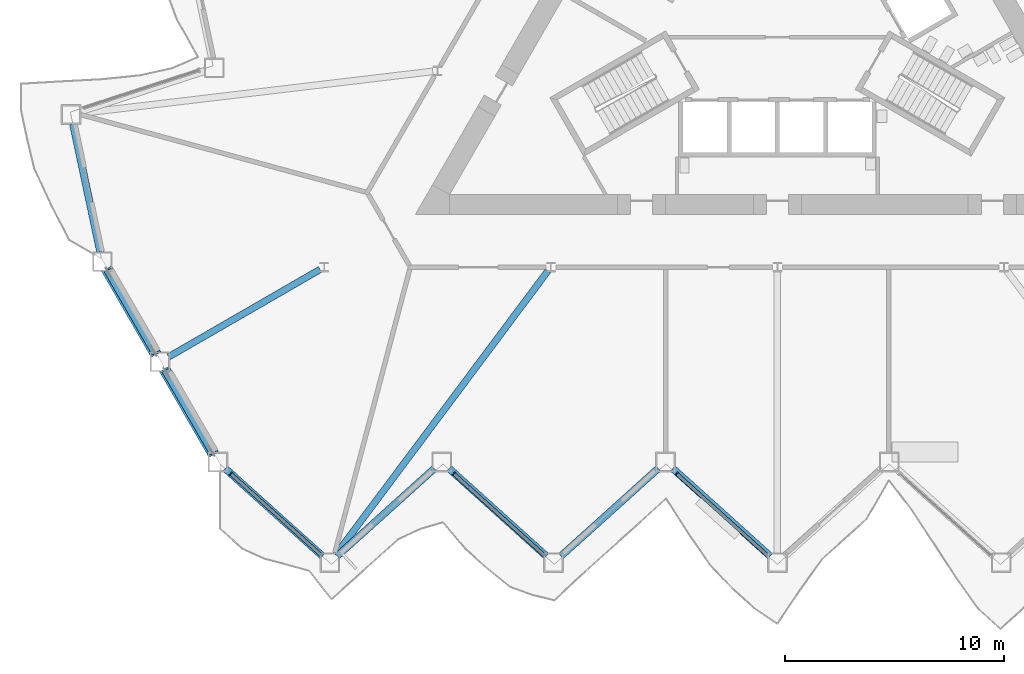
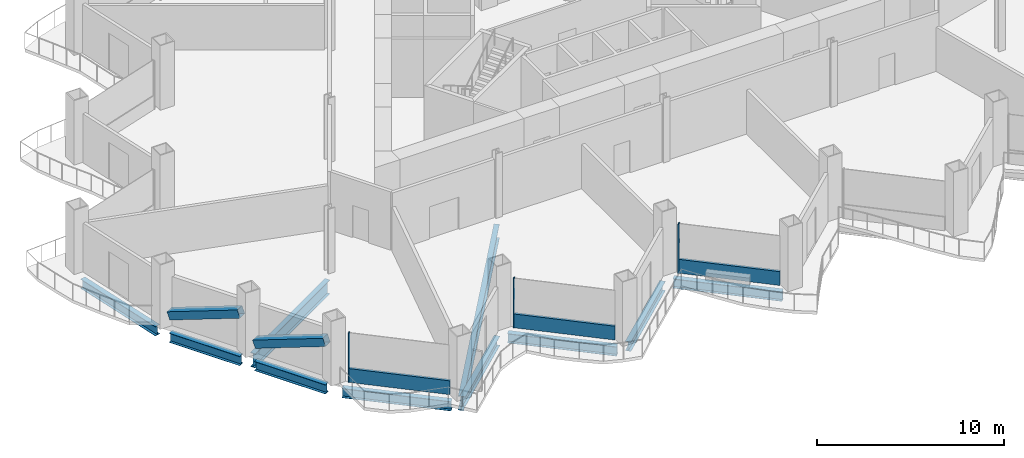
# One storey, part 3 of 21: 10 beams, 8 members, 3 elements without a shape of their own.
"""IFC4 building model written with IfcOpenShell, lengths in metres."""

from ifc_helpers import new_model, si_unit, direction, frame, origin, origin_2d, place, context, subcontext, project, spatial, rectangle, hollow_rectangle, i_section, extrude, material, layer, layer_set, material_profile, profile_set, type_object, element, aggregate, save


model = new_model("IFC4")

# Units and contexts
model_context = context("Model", 3, precision=1e-05, world=origin(), true_north=direction((0.0, 1.0)))
body_context = subcontext(model_context, "Body", "Model", "MODEL_VIEW")
ifc_project = project(units=[si_unit("LENGTHUNIT", "METRE"), si_unit("AREAUNIT", "SQUARE_METRE"), si_unit("VOLUMEUNIT", "CUBIC_METRE"), si_unit("PLANEANGLEUNIT", "RADIAN"), si_unit("MASSUNIT", "GRAM", prefix="KILO")], contexts=[model_context])

# Site, building, storey
site_placement = place(None, origin())
site = spatial("IfcSite", under=ifc_project, at=site_placement, CompositionType="ELEMENT")
building_placement = place(site_placement, origin())
building = spatial("IfcBuilding", under=site, at=building_placement, Name="Cormorant Prow Tower", CompositionType="ELEMENT")
storey_placement = place(building_placement, frame((0.0, 0.0, 145.800048828125)))
storey = spatial("IfcBuildingStorey", under=building, at=storey_placement, Name="L31", CompositionType="ELEMENT", Elevation=145.800048828125)

# Members
ifc_material_1 = material(Name="Structural steel ASTM A500 Gr C", Category="steel")
ifc_material_profile_1 = material_profile(ifc_material_1, hollow_rectangle(XDim=0.508056640625, YDim=0.508056640625, WallThickness=0.014892578125, at=origin_2d()), Name="HSS20x20x5/8")
ifc_profile_set_1 = profile_set([ifc_material_profile_1], Name="Structural steel ASTM A500 Gr C")
member_type_1 = type_object("IfcMemberType", Name="Chamfer brace HSS20x20x5/8", PredefinedType="BRACE", material=ifc_profile_set_1)
for number, where, z_axis, x_axis, name in (
    (1, (-30.535400390625, -12.0849609375, 0.776611328125), (0.467784671838, -0.810243526908, 0.35310469821), (0.866029868417, 0.499992266949, 0.0), "Chamfer brace BR1 at WSW00 L31"),
    (2, (-27.900634765625, -16.648681640625, 0.776611328125), (0.467784671838, -0.810243526908, 0.35310469821), (0.866029868417, 0.499992266949, 0.0), "Chamfer brace BR1 at WSW01 L31"),
):
    element("IfcMember", number, at=place(storey_placement, frame(where, z_axis=z_axis, x_axis=x_axis)), inside=storey, type_object=member_type_1, Name=name, PredefinedType="BRACE", context=body_context, shape_type="SweptSolid", body=[
        extrude(hollow_rectangle(XDim=0.508056640625, YDim=0.508056640625, WallThickness=0.014892578125, at=origin_2d()), origin(), (0.0, 0.0, 1.0), 4.632568359375),
    ])

# Curtain wall, member
ifc_material_2 = material(Name="Aluminium 6063-T6", Category="aluminium")
ifc_layer = layer(ifc_material_2, 0.199951171875)
ifc_layer_set = layer_set([ifc_layer], Name="Aluminium 6063-T6")
curtain_wall_type = type_object("IfcCurtainWallType", Name="Office unitised curtain wall 200", PredefinedType="NOTDEFINED", material=ifc_layer_set)
curtain_wall_1_placement = place(storey_placement, origin())
curtain_wall_1 = element("IfcCurtainWall", 3, at=curtain_wall_1_placement, inside=storey, type_object=curtain_wall_type, Name="Office curtain wall S00", PredefinedType="NOTDEFINED")
ifc_material_3 = material(Name="Aluminium 6063-T6", Category="aluminium")
ifc_material_profile_2 = material_profile(ifc_material_3, rectangle(XDim=0.199951171875, YDim=0.06005859375, at=origin_2d()), Name="Office mullion 60x200")
ifc_profile_set_2 = profile_set([ifc_material_profile_2], Name="Aluminium 6063-T6")
member_type_2 = type_object("IfcMemberType", Name="Office mullion 60x200", PredefinedType="MULLION", material=ifc_profile_set_2)
member_1_placement = place(storey_placement, frame((-24.912109375, -21.347412109375, 0.0), z_axis=(0.0, 0.0, 1.0), x_axis=(0.669130475449, 0.743144943349, 0.0)))
member_1 = element("IfcMember", 4, at=member_1_placement, type_object=member_type_2, Name="Office mullion S00", PredefinedType="MULLION", context=body_context, shape_type="SweptSolid", body=[
    extrude(rectangle(XDim=0.199951171875, YDim=0.06005859375, at=origin_2d()), origin(), (0.0, 0.0, 1.0), 3.18896484375),
])

curtain_wall_2_placement = place(storey_placement, origin())
curtain_wall_2 = element("IfcCurtainWall", 5, at=curtain_wall_2_placement, inside=storey, type_object=curtain_wall_type, Name="Office curtain wall S02", PredefinedType="NOTDEFINED")
member_2_placement = place(storey_placement, frame((-14.749267578125, -21.347412109375, 0.0), z_axis=(0.0, 0.0, 1.0), x_axis=(0.669130548174, 0.743144877867, 0.0)))
member_2 = element("IfcMember", 6, at=member_2_placement, type_object=member_type_2, Name="Office mullion S02", PredefinedType="MULLION", context=body_context, shape_type="SweptSolid", body=[
    extrude(rectangle(XDim=0.199951171875, YDim=0.06005859375, at=origin_2d()), origin(), (0.0, 0.0, 1.0), 3.18896484375),
])

curtain_wall_3_placement = place(storey_placement, origin())
curtain_wall_3 = element("IfcCurtainWall", 7, at=curtain_wall_3_placement, inside=storey, type_object=curtain_wall_type, Name="Office curtain wall S04", PredefinedType="NOTDEFINED")
member_3_placement = place(storey_placement, frame((-4.58642578125, -21.347412109375, 0.0), z_axis=(0.0, 0.0, 1.0), x_axis=(0.669130548174, 0.743144877867, 0.0)))
member_3 = element("IfcMember", 8, at=member_3_placement, type_object=member_type_2, Name="Office mullion S04", PredefinedType="MULLION", context=body_context, shape_type="SweptSolid", body=[
    extrude(rectangle(XDim=0.199951171875, YDim=0.06005859375, at=origin_2d()), origin(), (0.0, 0.0, 1.0), 3.18896484375),
])

# Member
ifc_material_4 = material(Name="Terracotta", Category="masonry")
ifc_material_profile_3 = material_profile(ifc_material_4, rectangle(XDim=0.159912109375, YDim=0.89990234375, at=origin_2d()), Name="Office terracotta spandrel rail 160x900")
ifc_profile_set_3 = profile_set([ifc_material_profile_3], Name="Terracotta")
member_type_3 = type_object("IfcMemberType", Name="Office terracotta spandrel rail 160x900", PredefinedType="USERDEFINED", material=ifc_profile_set_3)
member_4_placement = place(storey_placement, frame((-24.889892578125, -21.367431640625, 0.449951171875), z_axis=(0.743141989368, -0.669133756164, 0.0), x_axis=(0.669133756164, 0.743141989368, 0.0)))
member_4 = element("IfcMember", 9, at=member_4_placement, type_object=member_type_3, Name="Office spandrel rail S00", ObjectType="TRANSOM", PredefinedType="USERDEFINED", context=body_context, shape_type="SweptSolid", body=[
    extrude(rectangle(XDim=0.159912109375, YDim=0.89990234375, at=origin_2d()), origin(), (0.0, 0.0, 1.0), 5.505859375),
])

aggregate(curtain_wall_1, [member_1, member_4])

member_5_placement = place(storey_placement, frame((-14.72705078125, -21.367431640625, 0.449951171875), z_axis=(0.743141989368, -0.669133756164, 0.0), x_axis=(0.669133756164, 0.743141989368, 0.0)))
member_5 = element("IfcMember", 10, at=member_5_placement, type_object=member_type_3, Name="Office spandrel rail S02", ObjectType="TRANSOM", PredefinedType="USERDEFINED", context=body_context, shape_type="SweptSolid", body=[
    extrude(rectangle(XDim=0.159912109375, YDim=0.89990234375, at=origin_2d()), origin(), (0.0, 0.0, 1.0), 5.505859375),
])

aggregate(curtain_wall_2, [member_2, member_5])

member_6_placement = place(storey_placement, frame((-4.564208984375, -21.367431640625, 0.449951171875), z_axis=(0.743141989368, -0.669133756164, 0.0), x_axis=(0.669133756164, 0.743141989368, 0.0)))
member_6 = element("IfcMember", 11, at=member_6_placement, type_object=member_type_3, Name="Office spandrel rail S04", ObjectType="TRANSOM", PredefinedType="USERDEFINED", context=body_context, shape_type="SweptSolid", body=[
    extrude(rectangle(XDim=0.159912109375, YDim=0.89990234375, at=origin_2d()), origin(), (0.0, 0.0, 1.0), 5.505859375),
])

aggregate(curtain_wall_3, [member_3, member_6])

# Beams
ifc_material_5 = material(Name="Structural steel ASTM A992 Gr 50", Category="steel")
ifc_material_profile_4 = material_profile(ifc_material_5, i_section(OverallWidth=0.3046875, OverallDepth=0.914794921875, WebThickness=0.0166015625, FlangeThickness=0.02587890625, at=origin_2d()), Name="W36x160")
ifc_profile_set_4 = profile_set([ifc_material_profile_4], Name="Structural steel ASTM A992 Gr 50")
beam_type_1 = type_object("IfcBeamType", Name="Radial floor beam W36x160", PredefinedType="BEAM", material=ifc_profile_set_4)
beam_1_placement = place(storey_placement, frame((-20.84521484375, -12.034912109375, -0.857421875), z_axis=(-0.866018715534, -0.50001158421, 0.0), x_axis=(0.50001158421, -0.866018715534, 0.0)))
element("IfcBeam", 12, at=beam_1_placement, inside=storey, type_object=beam_type_1, Name="Radial floor beam FB1 5 L31", PredefinedType="BEAM", context=body_context, shape_type="SweptSolid", body=[
    extrude(i_section(OverallWidth=0.3046875, OverallDepth=0.914794921875, WebThickness=0.0166015625, FlangeThickness=0.02587890625, at=origin_2d()), origin(), (0.0, 0.0, 1.0), 7.967041015625),
])
beam_2_placement = place(storey_placement, frame((-10.458740234375, -12.100341796875, -0.857421875), z_axis=(-0.598722444929, -0.800956574315, 0.0), x_axis=(0.800956574315, -0.598722444929, 0.0)))
element("IfcBeam", 13, at=beam_2_placement, inside=storey, type_object=beam_type_1, Name="Radial floor beam FB1 6 L31", PredefinedType="BEAM", context=body_context, shape_type="SweptSolid", body=[
    extrude(i_section(OverallWidth=0.3046875, OverallDepth=0.914794921875, WebThickness=0.0166015625, FlangeThickness=0.02587890625, at=origin_2d()), origin(), (0.0, 0.0, 1.0), 16.15380859375),
])
ifc_material_6 = material(Name="Structural steel ASTM A992 Gr 50", Category="steel")
ifc_material_profile_5 = material_profile(ifc_material_6, i_section(OverallWidth=0.32373046875, OverallDepth=0.611083984375, WebThickness=0.0126953125, FlangeThickness=0.01904296875, at=origin_2d()), Name="W24x104")
ifc_profile_set_5 = profile_set([ifc_material_profile_5], Name="Structural steel ASTM A992 Gr 50")
beam_type_2 = type_object("IfcBeamType", Name="Spandrel beam W24x104", PredefinedType="SPANDREL", material=ifc_profile_set_5)
for number, where, z_axis, x_axis, name in (
    (14, (-25.165283203125, -21.108154296875, -0.70556640625), (0.743131253571, -0.66914567918, 0.0), (0.66914567918, 0.743131253571, 0.0), "Spandrel beam SB1 S00-S01 L31"),
    (15, (-20.0654296875, -25.09814453125, -0.70556640625), (0.743131253571, 0.66914567918, 0.0), (-0.66914567918, 0.743131253571, 0.0), "Spandrel beam SB1 S01-S02 L31"),
    (16, (-14.96533203125, -21.108154296875, -0.70556640625), (0.743131253571, -0.66914567918, 0.0), (0.66914567918, 0.743131253571, 0.0), "Spandrel beam SB1 S02-S03 L31"),
    (17, (-9.865478515625, -25.09814453125, -0.70556640625), (0.743131253571, 0.66914567918, 0.0), (-0.66914567918, 0.743131253571, 0.0), "Spandrel beam SB1 S03-S04 L31"),
    (18, (-4.765625, -21.108154296875, -0.70556640625), (0.743131253571, -0.66914567918, 0.0), (0.66914567918, 0.743131253571, 0.0), "Spandrel beam SB1 S04-S05 L31"),
    (19, (-32.1025390625, -5.4072265625, -0.70556640625), (0.207912620873, -0.978147403044, 0.0), (0.978147403044, 0.207912620873, 0.0), "Spandrel beam SB1 WNW09-WSW00 L31"),
):
    element("IfcBeam", number, at=place(storey_placement, frame(where, z_axis=z_axis, x_axis=x_axis)), inside=storey, type_object=beam_type_2, Name=name, PredefinedType="SPANDREL", context=body_context, shape_type="SweptSolid", body=[
        extrude(i_section(OverallWidth=0.32373046875, OverallDepth=0.611083984375, WebThickness=0.0126953125, FlangeThickness=0.01904296875, at=origin_2d()), origin(), (0.0, 0.0, 1.0), 5.962890625),
    ])
for number, where, z_axis, x_axis, name in (
    (20, (-30.54443359375, -12.069580078125, -0.70556640625), (0.500002967982, -0.866023690213, 0.0), (0.866023690213, 0.500002967982, 0.0), "Spandrel beam SB1 WSW00-WSW01 L31"),
    (21, (-27.909423828125, -16.63330078125, -0.70556640625), (0.500002967982, -0.866023690213, 0.0), (0.866023690213, 0.500002967982, 0.0), "Spandrel beam SB1 WSW01-S00 L31"),
):
    element("IfcBeam", number, at=place(storey_placement, frame(where, z_axis=z_axis, x_axis=x_axis)), inside=storey, type_object=beam_type_2, Name=name, PredefinedType="SPANDREL", context=body_context, shape_type="SweptSolid", body=[
        extrude(i_section(OverallWidth=0.32373046875, OverallDepth=0.611083984375, WebThickness=0.0126953125, FlangeThickness=0.01904296875, at=origin_2d()), origin(), (0.0, 0.0, 1.0), 4.36962890625),
    ])

save(model, "model.ifc")
